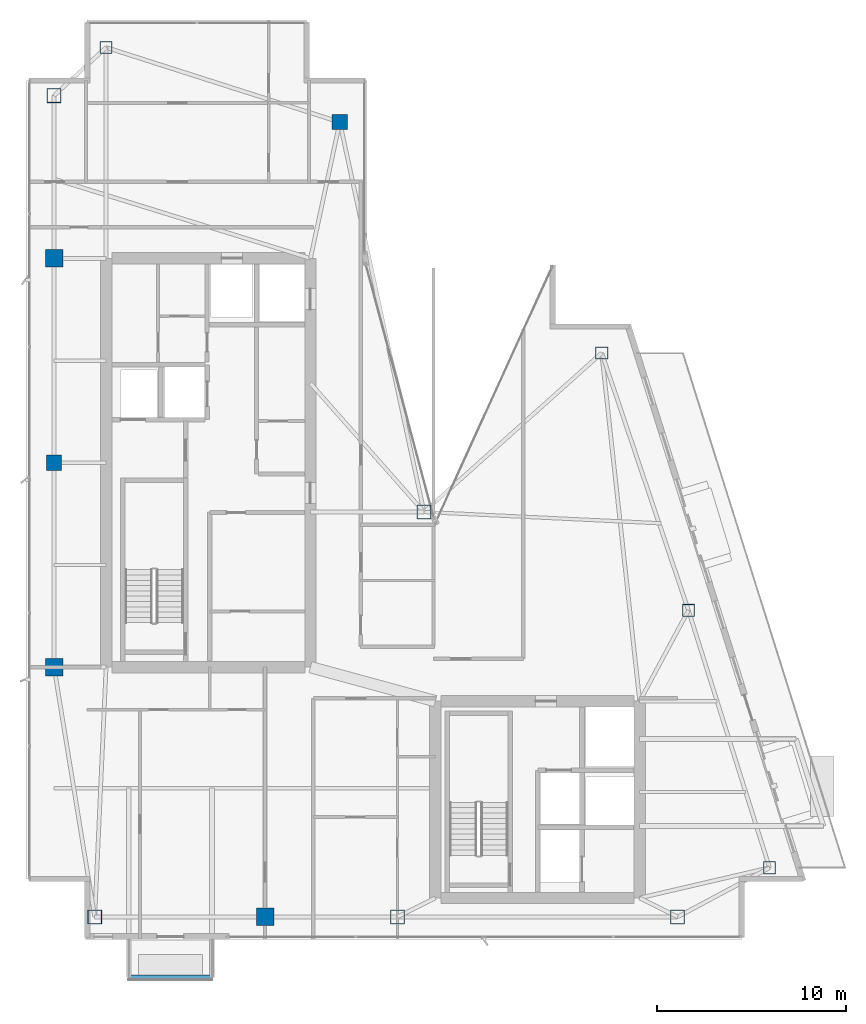
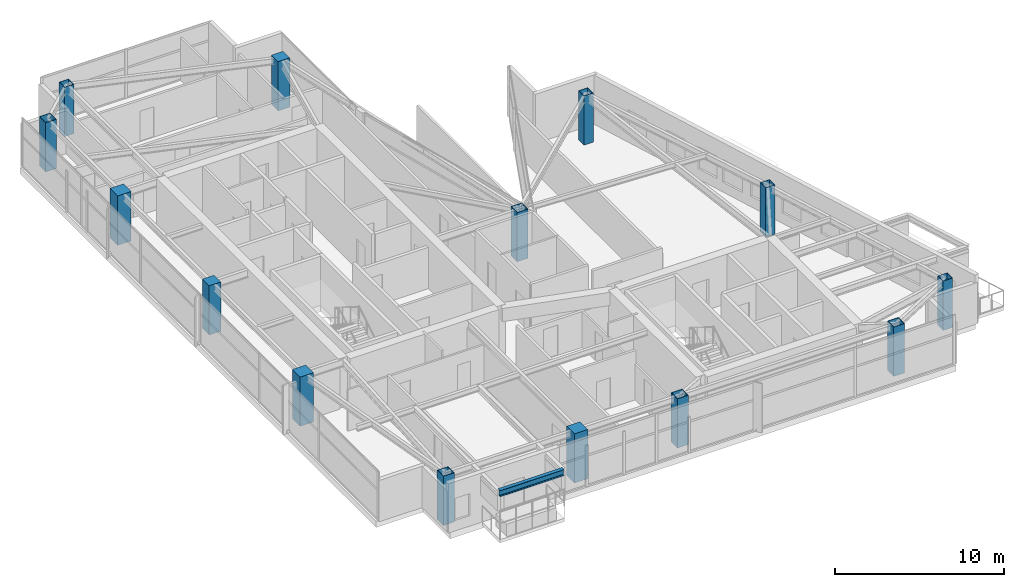
# One storey, part 1 of 27: 14 columns, 1 beam.
"""IFC4 building model written with IfcOpenShell, lengths in metres."""

from ifc_helpers import new_model, si_unit, direction, frame, origin, origin_2d, place, context, subcontext, project, spatial, rectangle, hollow_rectangle, i_section, extrude, material, material_profile, profile_set, type_object, element, save


model = new_model("IFC4")

# Units and contexts
model_context = context("Model", 3, precision=1e-05, world=origin(), true_north=direction((0.0, 1.0)))
body_context = subcontext(model_context, "Body", "Model", "MODEL_VIEW")
ifc_project = project(units=[si_unit("LENGTHUNIT", "METRE"), si_unit("AREAUNIT", "SQUARE_METRE"), si_unit("VOLUMEUNIT", "CUBIC_METRE"), si_unit("PLANEANGLEUNIT", "RADIAN"), si_unit("MASSUNIT", "GRAM", prefix="KILO")], contexts=[model_context])

# Site, building, storey
site_placement = place(None, origin())
site = spatial("IfcSite", under=ifc_project, at=site_placement, CompositionType="ELEMENT")
building_placement = place(site_placement, origin())
building = spatial("IfcBuilding", under=site, at=building_placement, Name="Calvorn Quay Hotel", CompositionType="ELEMENT")
storey_placement = place(building_placement, frame((0.0, 0.0, 287.300048828125)))
storey = spatial("IfcBuildingStorey", under=building, at=storey_placement, Name="L71", CompositionType="ELEMENT", Elevation=287.300048828125)

# Columns
ifc_material_1 = material(Name="Concrete C45", Category="concrete")
ifc_material_profile_1 = material_profile(ifc_material_1, rectangle(XDim=0.800048828125, YDim=0.800048828125, at=origin_2d()), Name="RC800x800")
ifc_profile_set_1 = profile_set([ifc_material_profile_1], Name="Concrete C45")
column_type_1 = type_object("IfcColumnType", Name="COL-RC-800", PredefinedType="COLUMN", material=ifc_profile_set_1)
for number, where, z_axis, x_axis, name in (
    (1, (1.449951171875, 27.60009765625, 0.0), (0.0, 0.0, 1.0), (1.0, 0.0, 0.0), "Column C-W3 (L71)"),
    (2, (16.550048828125, 45.60009765625, 0.0), (0.0, 0.0, 1.0), (1.0, 0.0, 0.0), "Column C-IC1 (L71)"),
):
    element("IfcColumn", number, at=place(storey_placement, frame(where, z_axis=z_axis, x_axis=x_axis)), inside=storey, type_object=column_type_1, Name=name, PredefinedType="COLUMN", context=body_context, shape_type="SweptSolid", body=[
        extrude(rectangle(XDim=0.800048828125, YDim=0.800048828125, at=origin_2d()), origin(), (0.0, 0.0, 1.0), 3.56005859375),
    ])
ifc_material_2 = material(Name="Concrete C45", Category="concrete")
ifc_material_profile_2 = material_profile(ifc_material_2, rectangle(XDim=0.919921875, YDim=0.919921875, at=origin_2d()), Name="RC920x920")
ifc_profile_set_2 = profile_set([ifc_material_profile_2], Name="Concrete C45")
column_type_2 = type_object("IfcColumnType", Name="COL-RC-920", PredefinedType="COLUMN", material=ifc_profile_set_2)
for number, where, z_axis, x_axis, name in (
    (3, (1.449951171875, 16.800048828125, 0.0), (0.0, 0.0, 1.0), (1.0, 0.0, 0.0), "Column C-W2 (L71)"),
    (4, (1.449951171875, 38.39990234375, 0.0), (0.0, 0.0, 1.0), (1.0, 0.0, 0.0), "Column C-W4 (L71)"),
    (5, (12.60009765625, 3.60009765625, 0.0), (0.0, 0.0, 1.0), (1.0, 0.0, 0.0), "Column C-S1 (L71)"),
):
    element("IfcColumn", number, at=place(storey_placement, frame(where, z_axis=z_axis, x_axis=x_axis)), inside=storey, type_object=column_type_2, Name=name, PredefinedType="COLUMN", context=body_context, shape_type="SweptSolid", body=[
        extrude(rectangle(XDim=0.919921875, YDim=0.919921875, at=origin_2d()), origin(), (0.0, 0.0, 1.0), 3.56005859375),
    ])
ifc_material_3 = material(Name="Steel Q390GJC", Category="steel")
ifc_material_profile_3 = material_profile(ifc_material_3, hollow_rectangle(XDim=0.75, YDim=0.75, WallThickness=0.031982421875, at=origin_2d()), Name="BOX750x750x32")
ifc_profile_set_3 = profile_set([ifc_material_profile_3], Name="Steel Q390GJC")
column_type_3 = type_object("IfcColumnType", Name="COL-STL-Z3", PredefinedType="COLUMN", material=ifc_profile_set_3)
for number, where, z_axis, x_axis, name in (
    (6, (3.60009765625, 3.60009765625, 0.0), (0.0, 0.0, 1.0), (1.0, 0.0, 0.0), "Column C-W1 (L71)"),
    (7, (1.449951171875, 47.0, 0.0), (0.0, 0.0, 1.0), (1.0, 0.0, 0.0), "Column C-W5 (L71)"),
    (8, (21.0, 25.0, 0.0), (0.0, 0.0, 1.0), (1.0, 0.0, 0.0), "Column C-IC2 (L71)"),
    (9, (19.60009765625, 3.60009765625, 0.0), (0.0, 0.0, 1.0), (1.0, 0.0, 0.0), "Column C-S2 (L71)"),
    (10, (34.39990234375, 3.60009765625, 0.0), (0.0, 0.0, 1.0), (1.0, 0.0, 0.0), "Column C-S3 (L71)"),
):
    element("IfcColumn", number, at=place(storey_placement, frame(where, z_axis=z_axis, x_axis=x_axis)), inside=storey, type_object=column_type_3, Name=name, PredefinedType="COLUMN", context=body_context, shape_type="SweptSolid", body=[
        extrude(hollow_rectangle(XDim=0.75, YDim=0.75, WallThickness=0.031982421875, at=origin_2d()), origin(), (0.0, 0.0, 1.0), 3.56005859375),
    ])
ifc_material_4 = material(Name="Steel Q355B", Category="steel")
ifc_material_profile_4 = material_profile(ifc_material_4, hollow_rectangle(XDim=0.64990234375, YDim=0.64990234375, WallThickness=0.028076171875, at=origin_2d()), Name="BOX650x650x28")
ifc_profile_set_4 = profile_set([ifc_material_profile_4], Name="Steel Q355B")
column_type_4 = type_object("IfcColumnType", Name="COL-STL-Z4", PredefinedType="COLUMN", material=ifc_profile_set_4)
for number, where, z_axis, x_axis, name in (
    (11, (4.199951171875, 49.550048828125, 0.0), (0.0, 0.0, 1.0), (1.0, 0.0, 0.0), "Column C-NW1 (L71)"),
    (12, (39.260986328125, 6.199951171875, 0.0), (0.0, 0.0, 1.0), (1.0, 0.0, 0.0), "Column C-ET1 (L71)"),
    (13, (34.97607421875, 19.800048828125, 0.0), (0.0, 0.0, 1.0), (1.0, 0.0, 0.0), "Column C-ET2 (L71)"),
    (14, (30.39111328125, 33.39990234375, 0.0), (0.0, 0.0, 1.0), (1.0, 0.0, 0.0), "Column C-ET3 (L71)"),
):
    element("IfcColumn", number, at=place(storey_placement, frame(where, z_axis=z_axis, x_axis=x_axis)), inside=storey, type_object=column_type_4, Name=name, PredefinedType="COLUMN", context=body_context, shape_type="SweptSolid", body=[
        extrude(hollow_rectangle(XDim=0.64990234375, YDim=0.64990234375, WallThickness=0.028076171875, at=origin_2d()), origin(), (0.0, 0.0, 1.0), 3.56005859375),
    ])

# Beam
ifc_material_5 = material(Name="Steel Q355B", Category="steel")
ifc_material_profile_5 = material_profile(ifc_material_5, i_section(OverallWidth=0.25, OverallDepth=0.449951171875, WebThickness=0.011962890625, FlangeThickness=0.01611328125, FilletRadius=0.01611328125, at=origin_2d()), Name="HN450x250x12x16")
ifc_profile_set_5 = profile_set([ifc_material_profile_5], Name="Steel Q355B")
beam_type = type_object("IfcBeamType", Name="BM-CANT-BALC", PredefinedType="BEAM", material=ifc_profile_set_5)
beam_placement = place(storey_placement, frame((5.39990234375, 0.409912109375, 3.31494140625), z_axis=(1.0, 0.0, 0.0), x_axis=(0.0, 1.0, 0.0)))
element("IfcBeam", 15, at=beam_placement, inside=storey, type_object=beam_type, Name="Beam BCBO-L72-2", PredefinedType="BEAM", context=body_context, shape_type="SweptSolid", body=[
    extrude(i_section(OverallWidth=0.25, OverallDepth=0.449951171875, WebThickness=0.011962890625, FlangeThickness=0.01611328125, FilletRadius=0.01611328125, at=origin_2d()), origin(), (0.0, 0.0, 1.0), 4.400146484375),
])

save(model, "model.ifc")
